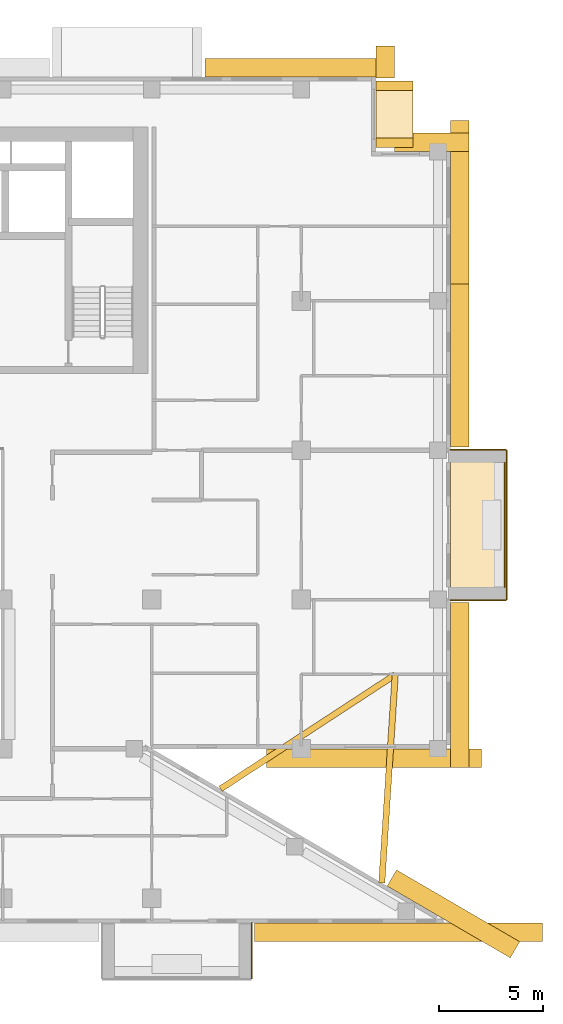
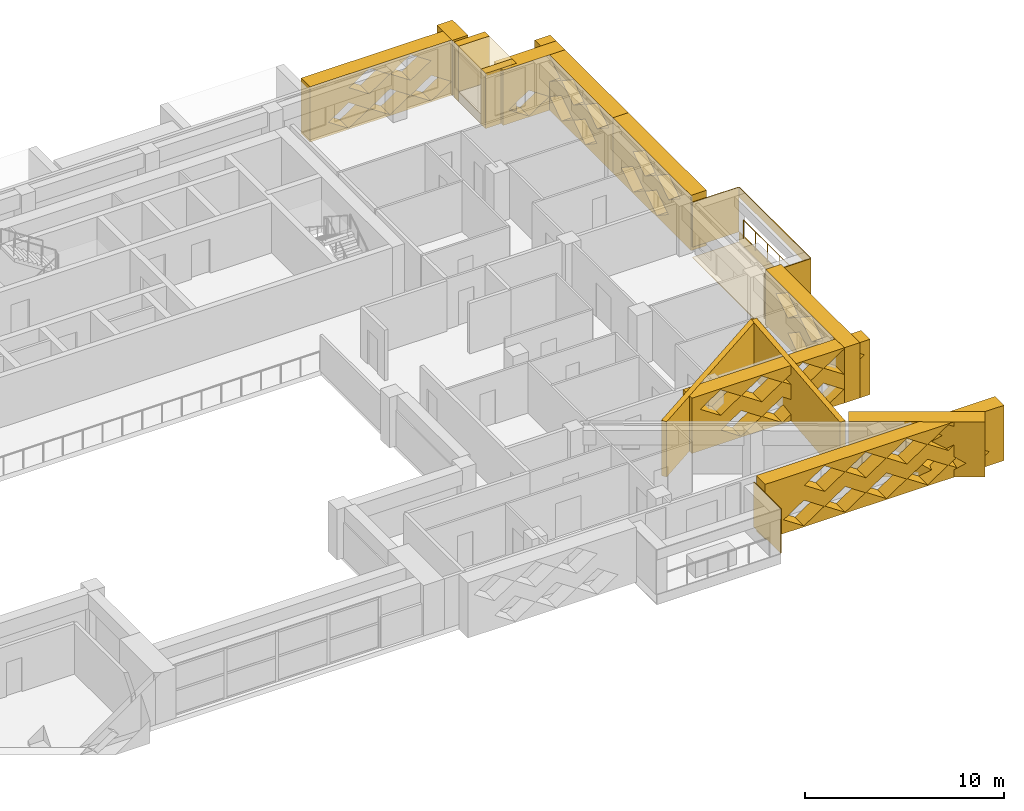
# One storey, part 20 of 20: 21 coverings, 1 railing.
"""IFC4 building model written with IfcOpenShell, lengths in metres."""

from ifc_helpers import new_model, si_unit, direction, frame, origin, origin_2d, place, context, subcontext, project, spatial, polyline, circle, outline, extrude, material, layer, layer_set, type_object, element, save


model = new_model("IFC4")

# Units and contexts
model_context = context("Model", 3, precision=1e-05, world=origin(), true_north=direction((0.0, 1.0)))
body_context = subcontext(model_context, "Body", "Model", "MODEL_VIEW")
ifc_project = project(units=[si_unit("LENGTHUNIT", "METRE"), si_unit("AREAUNIT", "SQUARE_METRE"), si_unit("VOLUMEUNIT", "CUBIC_METRE"), si_unit("PLANEANGLEUNIT", "RADIAN"), si_unit("MASSUNIT", "GRAM", prefix="KILO")], contexts=[model_context])

# Site, building, storey
site_placement = place(None, origin())
site = spatial("IfcSite", under=ifc_project, at=site_placement, CompositionType="ELEMENT")
building_placement = place(site_placement, origin())
building = spatial("IfcBuilding", under=site, at=building_placement, Name="Saffron Iwan Residences", CompositionType="ELEMENT")
storey_placement = place(building_placement, frame((0.0, 0.0, 202.5)))
storey = spatial("IfcBuildingStorey", under=building, at=storey_placement, Name="L54", CompositionType="ELEMENT", Elevation=202.5)

# Railing
ifc_material_1 = material(Name="Stainless steel 316", Category="steel")
railing_type = type_object("IfcRailingType", Name="BALCONY GUARD 1150", PredefinedType="GUARDRAIL", material=ifc_material_1)
railing_placement = place(storey_placement, frame((89.02490234375, 55.800048828125, 0.0)))
element("IfcRailing", 1, at=railing_placement, inside=storey, type_object=railing_type, Name="Balcony guard L54 F2-0", PredefinedType="GUARDRAIL", context=body_context, shape_type="SweptSolid", body=[
    extrude(circle(Radius=0.02392578125, at=origin_2d()), frame((0.0, 0.0, 1.1259765625), z_axis=(0.0, 1.0, 0.0), x_axis=(-1.0, 0.0, 0.0)), (0.0, 0.0, 1.0), 6.0),
    extrude(circle(Radius=0.02099609375, at=origin_2d()), origin(), (0.0, 0.0, 1.0), 1.101806640625),
    extrude(circle(Radius=0.02099609375, at=origin_2d()), frame((0.0, 1.199951171875, 0.0)), (0.0, 0.0, 1.0), 1.101806640625),
    extrude(circle(Radius=0.02099609375, at=origin_2d()), frame((0.0, 2.39990234375, 0.0)), (0.0, 0.0, 1.0), 1.101806640625),
    extrude(circle(Radius=0.02099609375, at=origin_2d()), frame((0.0, 3.60009765625, 0.0)), (0.0, 0.0, 1.0), 1.101806640625),
    extrude(circle(Radius=0.02099609375, at=origin_2d()), frame((0.0, 4.800048828125, 0.0)), (0.0, 0.0, 1.0), 1.101806640625),
    extrude(circle(Radius=0.02099609375, at=origin_2d()), frame((0.0, 6.0, 0.0)), (0.0, 0.0, 1.0), 1.101806640625),
])

# Coverings
ifc_material_2 = material(Name="Precast concrete C40/50 white painted", Category="concrete")
ifc_layer_1 = layer(ifc_material_2, 0.050048828125)
ifc_layer_set_1 = layer_set([ifc_layer_1], Name="Precast concrete C40/50 white painted")
covering_type_1 = type_object("IfcCoveringType", Name="FRAME SKIN PRECAST WHITE 50", PredefinedType="CLADDING", material=ifc_layer_set_1)
for number, where, name in (
    (2, (0.0, 0.0, -0.60009765625), "Frame skin slab edge L54 F2-0"),
    (3, (0.0, 0.0, 2.14990234375), "Frame skin fascia L54 F2-0"),
):
    element("IfcCovering", number, at=place(storey_placement, frame(where)), inside=storey, type_object=covering_type_1, Name=name, PredefinedType="CLADDING", context=body_context, shape_type="SweptSolid", body=[
        extrude(outline(polyline([(89.14990234375, 55.199951171875), (89.14990234375, 62.39990234375), (89.10009765625, 62.39990234375), (89.10009765625, 55.199951171875), (89.14990234375, 55.199951171875)])), origin(), (0.0, 0.0, 1.0), 0.60009765625),
    ])
covering_1_placement = place(storey_placement, frame((0.0, 0.0, -0.64990234375)))
element("IfcCovering", 4, at=covering_1_placement, inside=storey, type_object=covering_type_1, Name="Frame skin soffit L54 F2-0", PredefinedType="CLADDING", context=body_context, shape_type="SweptSolid", body=[
    extrude(outline(polyline([(89.10009765625, 55.199951171875), (89.10009765625, 62.39990234375), (86.39990234375, 62.39990234375), (86.39990234375, 55.199951171875), (89.10009765625, 55.199951171875)])), origin(), (0.0, 0.0, 1.0), 0.0498046875),
])
covering_2_placement = place(storey_placement, origin())
element("IfcCovering", 5, at=covering_2_placement, inside=storey, type_object=covering_type_1, Name="Frame skin fin L54 F2-0a", PredefinedType="CLADDING", context=body_context, shape_type="SweptSolid", body=[
    extrude(outline(polyline([(89.10009765625, 55.14990234375), (89.10009765625, 55.199951171875), (86.39990234375, 55.199951171875), (86.39990234375, 55.14990234375), (89.10009765625, 55.14990234375)])), origin(), (0.0, 0.0, 1.0), 2.75),
])
covering_3_placement = place(storey_placement, origin())
element("IfcCovering", 6, at=covering_3_placement, inside=storey, type_object=covering_type_1, Name="Frame skin fin L54 F2-0b", PredefinedType="CLADDING", context=body_context, shape_type="SweptSolid", body=[
    extrude(outline(polyline([(89.10009765625, 62.39990234375), (89.10009765625, 62.449951171875), (86.39990234375, 62.449951171875), (86.39990234375, 62.39990234375), (89.10009765625, 62.39990234375)])), origin(), (0.0, 0.0, 1.0), 2.75),
])
covering_4_placement = place(storey_placement, origin())
element("IfcCovering", 7, at=covering_4_placement, inside=storey, type_object=covering_type_1, Name="Frame skin fin L54 11-1b", PredefinedType="CLADDING", context=body_context, shape_type="SweptSolid", body=[
    extrude(outline(polyline([(76.800048828125, 36.89990234375), (76.85009765625, 36.89990234375), (76.85009765625, 39.60009765625), (76.800048828125, 39.60009765625), (76.800048828125, 36.89990234375)])), origin(), (0.0, 0.0, 1.0), 2.75),
])
ifc_material_3 = material(Name="Precast concrete C40/50", Category="concrete")
covering_type_2 = type_object("IfcCoveringType", Name="OUTER SKIN LATTICE SCREEN", PredefinedType="CLADDING", material=ifc_material_3)
covering_5_placement = place(storey_placement, frame((89.283935546875, 37.917724609375, -0.300048828125), z_axis=(0.503803550485, 0.863818257806, 0.0), x_axis=(-0.863818257806, 0.503803550485, 0.0)))
element("IfcCovering", 8, at=covering_5_placement, inside=storey, type_object=covering_type_2, Name="OUTER SKIN lattice screen L54 F0.0", PredefinedType="CLADDING", context=body_context, shape_type="SweptSolid", body=[
    extrude(outline(polyline([(0.0, 0.0), (6.874267578125, 0.0), (6.874267578125, 3.39990234375), (0.0, 3.39990234375), (0.0, 0.0)]), holes=[polyline([(0.958740234375, 0.85009765625), (2.138671875, 0.06005859375), (3.318603515625, 0.85009765625), (2.138671875, 1.639892578125), (0.958740234375, 0.85009765625)]), polyline([(3.358642578125, 0.85009765625), (4.538818359375, 0.06005859375), (5.71875, 0.85009765625), (4.538818359375, 1.639892578125), (3.358642578125, 0.85009765625)]), polyline([(2.15869140625, 2.550048828125), (3.338623046875, 1.760009765625), (4.518798828125, 2.550048828125), (3.338623046875, 3.340087890625), (2.15869140625, 2.550048828125)])]), origin(), (0.0, 0.0, 1.0), 0.89990234375),
])
covering_6_placement = place(storey_placement, frame((77.538818359375, 48.0, -0.300048828125), z_axis=(0.0, -1.0, 0.0), x_axis=(1.0, 0.0, 0.0)))
element("IfcCovering", 9, at=covering_6_placement, inside=storey, type_object=covering_type_2, Name="OUTER SKIN lattice screen L54 F1.0", PredefinedType="CLADDING", context=body_context, shape_type="SweptSolid", body=[
    extrude(outline(polyline([(0.0, 0.0), (10.361328125, 0.0), (10.361328125, 3.39990234375), (0.0, 3.39990234375), (0.0, 0.0)]), holes=[polyline([(1.681396484375, 0.85009765625), (2.861328125, 0.06005859375), (4.041259765625, 0.85009765625), (2.861328125, 1.639892578125), (1.681396484375, 0.85009765625)]), polyline([(4.081298828125, 0.85009765625), (5.26123046875, 0.06005859375), (6.44140625, 0.85009765625), (5.26123046875, 1.639892578125), (4.081298828125, 0.85009765625)]), polyline([(6.481201171875, 0.85009765625), (7.661376953125, 0.06005859375), (8.84130859375, 0.85009765625), (7.661376953125, 1.639892578125), (6.481201171875, 0.85009765625)]), polyline([(0.481201171875, 2.550048828125), (1.661376953125, 1.760009765625), (2.84130859375, 2.550048828125), (1.661376953125, 3.340087890625), (0.481201171875, 2.550048828125)]), polyline([(2.88134765625, 2.550048828125), (4.061279296875, 1.760009765625), (5.2412109375, 2.550048828125), (4.061279296875, 3.340087890625), (2.88134765625, 2.550048828125)]), polyline([(5.28125, 2.550048828125), (6.461181640625, 1.760009765625), (7.641357421875, 2.550048828125), (6.461181640625, 3.340087890625), (5.28125, 2.550048828125)]), polyline([(7.681396484375, 2.550048828125), (8.861328125, 1.760009765625), (10.041259765625, 2.550048828125), (8.861328125, 3.340087890625), (7.681396484375, 2.550048828125)])]), origin(), (0.0, 0.0, 1.0), 0.89990234375),
])
covering_7_placement = place(storey_placement, frame((86.39990234375, 47.10009765625, -0.300048828125), z_axis=(1.0, 0.0, 0.0), x_axis=(0.0, 1.0, 0.0)))
element("IfcCovering", 10, at=covering_7_placement, inside=storey, type_object=covering_type_2, Name="OUTER SKIN lattice screen L54 F2.0", PredefinedType="CLADDING", context=body_context, shape_type="SweptSolid", body=[
    extrude(outline(polyline([(0.0, 0.0), (7.949951171875, 0.0), (7.949951171875, 3.39990234375), (0.0, 3.39990234375), (0.0, 0.0)]), holes=[polyline([(0.919921875, 0.85009765625), (2.10009765625, 0.06005859375), (3.280029296875, 0.85009765625), (2.10009765625, 1.639892578125), (0.919921875, 0.85009765625)]), polyline([(3.320068359375, 0.85009765625), (4.5, 0.06005859375), (5.679931640625, 0.85009765625), (4.5, 1.639892578125), (3.320068359375, 0.85009765625)]), polyline([(2.1201171875, 2.550048828125), (3.300048828125, 1.760009765625), (4.47998046875, 2.550048828125), (3.300048828125, 3.340087890625), (2.1201171875, 2.550048828125)]), polyline([(4.52001953125, 2.550048828125), (5.699951171875, 1.760009765625), (6.8798828125, 2.550048828125), (5.699951171875, 3.340087890625), (4.52001953125, 2.550048828125)])]), origin(), (0.0, 0.0, 1.0), 0.900146484375),
])
covering_8_placement = place(storey_placement, frame((86.39990234375, 62.550048828125, -0.300048828125), z_axis=(1.0, 0.0, 0.0), x_axis=(0.0, 1.0, 0.0)))
element("IfcCovering", 11, at=covering_8_placement, inside=storey, type_object=covering_type_2, Name="OUTER SKIN lattice screen L54 F2.1", PredefinedType="CLADDING", context=body_context, shape_type="SweptSolid", body=[
    extrude(outline(polyline([(0.0, 0.0), (7.875, 0.0), (7.875, 3.39990234375), (0.0, 3.39990234375), (0.0, 0.0)]), holes=[polyline([(2.27001953125, 0.85009765625), (3.449951171875, 0.06005859375), (4.6298828125, 0.85009765625), (3.449951171875, 1.639892578125), (2.27001953125, 0.85009765625)]), polyline([(4.669921875, 0.85009765625), (5.85009765625, 0.06005859375), (7.030029296875, 0.85009765625), (5.85009765625, 1.639892578125), (4.669921875, 0.85009765625)]), polyline([(1.070068359375, 2.550048828125), (2.25, 1.760009765625), (3.429931640625, 2.550048828125), (2.25, 3.340087890625), (1.070068359375, 2.550048828125)]), polyline([(3.469970703125, 2.550048828125), (4.64990234375, 1.760009765625), (5.830078125, 2.550048828125), (4.64990234375, 3.340087890625), (3.469970703125, 2.550048828125)])]), origin(), (0.0, 0.0, 1.0), 0.900146484375),
])
covering_9_placement = place(storey_placement, frame((86.39990234375, 70.425048828125, -0.300048828125), z_axis=(1.0, 0.0, 0.0), x_axis=(0.0, 1.0, 0.0)))
element("IfcCovering", 12, at=covering_9_placement, inside=storey, type_object=covering_type_2, Name="OUTER SKIN lattice screen L54 F2.2", PredefinedType="CLADDING", context=body_context, shape_type="SweptSolid", body=[
    extrude(outline(polyline([(0.0, 0.0), (7.875, 0.0), (7.875, 3.39990234375), (0.0, 3.39990234375), (0.0, 0.0)]), holes=[polyline([(1.594970703125, 0.85009765625), (2.77490234375, 0.06005859375), (3.955078125, 0.85009765625), (2.77490234375, 1.639892578125), (1.594970703125, 0.85009765625)]), polyline([(3.9951171875, 0.85009765625), (5.175048828125, 0.06005859375), (6.35498046875, 0.85009765625), (5.175048828125, 1.639892578125), (3.9951171875, 0.85009765625)]), polyline([(0.39501953125, 2.550048828125), (1.574951171875, 1.760009765625), (2.7548828125, 2.550048828125), (1.574951171875, 3.340087890625), (0.39501953125, 2.550048828125)]), polyline([(2.794921875, 2.550048828125), (3.97509765625, 1.760009765625), (5.155029296875, 2.550048828125), (3.97509765625, 3.340087890625), (2.794921875, 2.550048828125)]), polyline([(5.195068359375, 2.550048828125), (6.375, 1.760009765625), (7.554931640625, 2.550048828125), (6.375, 3.340087890625), (5.195068359375, 2.550048828125)])]), origin(), (0.0, 0.0, 1.0), 0.900146484375),
])
covering_10_placement = place(storey_placement, frame((87.300048828125, 76.800048828125, -0.300048828125), z_axis=(0.0, 1.0, 0.0), x_axis=(-1.0, 0.0, 0.0)))
element("IfcCovering", 13, at=covering_10_placement, inside=storey, type_object=covering_type_2, Name="OUTER SKIN lattice screen L54 F3.0", PredefinedType="CLADDING", context=body_context, shape_type="SweptSolid", body=[
    extrude(outline(polyline([(0.0, 0.0), (3.60009765625, 0.0), (3.60009765625, 3.39990234375), (0.0, 3.39990234375), (0.0, 0.0)]), holes=[polyline([(0.919921875, 0.85009765625), (2.10009765625, 0.06005859375), (3.280029296875, 0.85009765625), (2.10009765625, 1.639892578125), (0.919921875, 0.85009765625)])]), origin(), (0.0, 0.0, 1.0), 0.89990234375),
])
covering_11_placement = place(storey_placement, frame((82.800048828125, 80.35009765625, -0.300048828125), z_axis=(1.0, 0.0, 0.0), x_axis=(0.0, 1.0, 0.0)))
element("IfcCovering", 14, at=covering_11_placement, inside=storey, type_object=covering_type_2, Name="OUTER SKIN lattice screen L54 F4.0", PredefinedType="CLADDING", context=body_context, shape_type="SweptSolid", body=[
    extrude(outline(polyline([(0.0, 0.0), (1.550048828125, 0.0), (1.550048828125, 3.39990234375), (0.0, 3.39990234375), (0.0, 0.0)])), origin(), (0.0, 0.0, 1.0), 0.89990234375),
])
covering_12_placement = place(storey_placement, frame((83.699951171875, 80.39990234375, -0.300048828125), z_axis=(0.0, 1.0, 0.0), x_axis=(-1.0, 0.0, 0.0)))
element("IfcCovering", 15, at=covering_12_placement, inside=storey, type_object=covering_type_2, Name="OUTER SKIN lattice screen L54 F5.0", PredefinedType="CLADDING", context=body_context, shape_type="SweptSolid", body=[
    extrude(outline(polyline([(0.0, 0.0), (9.14990234375, 0.0), (9.14990234375, 3.39990234375), (0.0, 3.39990234375), (0.0, 0.0)]), holes=[polyline([(0.919921875, 0.85009765625), (2.10009765625, 0.06005859375), (3.280029296875, 0.85009765625), (2.10009765625, 1.639892578125), (0.919921875, 0.85009765625)]), polyline([(3.320068359375, 0.85009765625), (4.5, 0.06005859375), (5.679931640625, 0.85009765625), (4.5, 1.639892578125), (3.320068359375, 0.85009765625)]), polyline([(5.719970703125, 0.85009765625), (6.89990234375, 0.06005859375), (8.080078125, 0.85009765625), (6.89990234375, 1.639892578125), (5.719970703125, 0.85009765625)]), polyline([(2.1201171875, 2.550048828125), (3.300048828125, 1.760009765625), (4.47998046875, 2.550048828125), (3.300048828125, 3.340087890625), (2.1201171875, 2.550048828125)]), polyline([(4.52001953125, 2.550048828125), (5.699951171875, 1.760009765625), (6.8798828125, 2.550048828125), (5.699951171875, 3.340087890625), (4.52001953125, 2.550048828125)])]), origin(), (0.0, 0.0, 1.0), 0.900146484375),
])
covering_13_placement = place(storey_placement, frame((76.949951171875, 39.60009765625, -0.300048828125), z_axis=(0.0, -1.0, 0.0), x_axis=(1.0, 0.0, 0.0)))
element("IfcCovering", 16, at=covering_13_placement, inside=storey, type_object=covering_type_2, Name="OUTER SKIN lattice screen L54 F11.3", PredefinedType="CLADDING", context=body_context, shape_type="SweptSolid", body=[
    extrude(outline(polyline([(0.0, 0.0), (13.888671875, 0.0), (13.888671875, 3.39990234375), (0.0, 3.39990234375), (0.0, 0.0)]), holes=[polyline([(1.070068359375, 0.85009765625), (2.25, 0.06005859375), (3.429931640625, 0.85009765625), (2.25, 1.639892578125), (1.070068359375, 0.85009765625)]), polyline([(3.469970703125, 0.85009765625), (4.64990234375, 0.06005859375), (5.830078125, 0.85009765625), (4.64990234375, 1.639892578125), (3.469970703125, 0.85009765625)]), polyline([(5.8701171875, 0.85009765625), (7.050048828125, 0.06005859375), (8.22998046875, 0.85009765625), (7.050048828125, 1.639892578125), (5.8701171875, 0.85009765625)]), polyline([(8.27001953125, 0.85009765625), (9.449951171875, 0.06005859375), (10.6298828125, 0.85009765625), (9.449951171875, 1.639892578125), (8.27001953125, 0.85009765625)]), polyline([(10.669921875, 0.85009765625), (11.85009765625, 0.06005859375), (13.030029296875, 0.85009765625), (11.85009765625, 1.639892578125), (10.669921875, 0.85009765625)]), polyline([(2.27001953125, 2.550048828125), (3.449951171875, 1.760009765625), (4.6298828125, 2.550048828125), (3.449951171875, 3.340087890625), (2.27001953125, 2.550048828125)]), polyline([(4.669921875, 2.550048828125), (5.85009765625, 1.760009765625), (7.030029296875, 2.550048828125), (5.85009765625, 3.340087890625), (4.669921875, 2.550048828125)]), polyline([(7.070068359375, 2.550048828125), (8.25, 1.760009765625), (9.429931640625, 2.550048828125), (8.25, 3.340087890625), (7.070068359375, 2.550048828125)]), polyline([(9.469970703125, 2.550048828125), (10.64990234375, 1.760009765625), (11.830078125, 2.550048828125), (10.64990234375, 3.340087890625), (9.469970703125, 2.550048828125)])]), origin(), (0.0, 0.0, 1.0), 0.900146484375),
])
ifc_layer_2 = layer(ifc_material_2, 0.300048828125)
ifc_layer_set_2 = layer_set([ifc_layer_2], Name="Precast concrete C40/50 white painted")
covering_type_3 = type_object("IfcCoveringType", Name="PROW NOSE BLADE PRECAST WHITE", PredefinedType="CLADDING", material=ifc_layer_set_2)
covering_14_placement = place(storey_placement, frame((0.0, 0.0, -0.300048828125)))
element("IfcCovering", 17, at=covering_14_placement, inside=storey, type_object=covering_type_3, Name="Prow nose blade L54 a", PredefinedType="CLADDING", context=body_context, shape_type="SweptSolid", body=[
    extrude(outline(polyline([(83.23681640625, 41.52294921875), (83.884521484375, 51.564453125), (83.585205078125, 51.583740234375), (82.937255859375, 41.542236328125), (83.23681640625, 41.52294921875)])), origin(), (0.0, 0.0, 1.0), 3.400146484375),
])
covering_15_placement = place(storey_placement, frame((0.0, 0.0, -0.300048828125)))
element("IfcCovering", 18, at=covering_15_placement, inside=storey, type_object=covering_type_3, Name="Prow nose blade L54 b", PredefinedType="CLADDING", context=body_context, shape_type="SweptSolid", body=[
    extrude(outline(polyline([(75.39501953125, 45.94189453125), (83.81689453125, 51.448486328125), (83.65283203125, 51.69970703125), (75.23095703125, 46.193115234375), (75.39501953125, 45.94189453125)])), origin(), (0.0, 0.0, 1.0), 3.400146484375),
])
covering_type_4 = type_object("IfcCoveringType", Name="WHITE SUN FRAME PRECAST", PredefinedType="CLADDING", material=ifc_material_2)
for number, where, z_axis, x_axis, name in (
    (19, (82.800048828125, 77.0, -0.300048828125), (1.0, 0.0, 0.0), (0.0, 1.0, 0.0), "Sun frame L54 F4 0.2a"),
    (20, (82.800048828125, 79.75, -0.300048828125), (1.0, 0.0, 0.0), (0.0, 1.0, 0.0), "Sun frame L54 F4 0.2b"),
):
    element("IfcCovering", number, at=place(storey_placement, frame(where, z_axis=z_axis, x_axis=x_axis)), inside=storey, type_object=covering_type_4, Name=name, PredefinedType="CLADDING", context=body_context, shape_type="SweptSolid", body=[
        extrude(outline(polyline([(0.0, 0.0), (0.449951171875, 0.0), (0.449951171875, 3.39990234375), (0.0, 3.39990234375), (0.0, 0.0)])), origin(), (0.0, 0.0, 1.0), 1.800048828125),
    ])
for number, where, z_axis, x_axis, name in (
    (21, (82.800048828125, 77.449951171875, 2.5), (1.0, 0.0, 0.0), (0.0, 1.0, 0.0), "Sun frame L54 F4 0.2h"),
    (22, (82.800048828125, 77.449951171875, -0.300048828125), (1.0, 0.0, 0.0), (0.0, 1.0, 0.0), "Sun frame L54 F4 0.2s"),
):
    element("IfcCovering", number, at=place(storey_placement, frame(where, z_axis=z_axis, x_axis=x_axis)), inside=storey, type_object=covering_type_4, Name=name, PredefinedType="CLADDING", context=body_context, shape_type="SweptSolid", body=[
        extrude(outline(polyline([(0.0, 0.0), (2.300048828125, 0.0), (2.300048828125, 0.60009765625), (0.0, 0.60009765625), (0.0, 0.0)])), origin(), (0.0, 0.0, 1.0), 1.800048828125),
    ])

save(model, "model.ifc")
